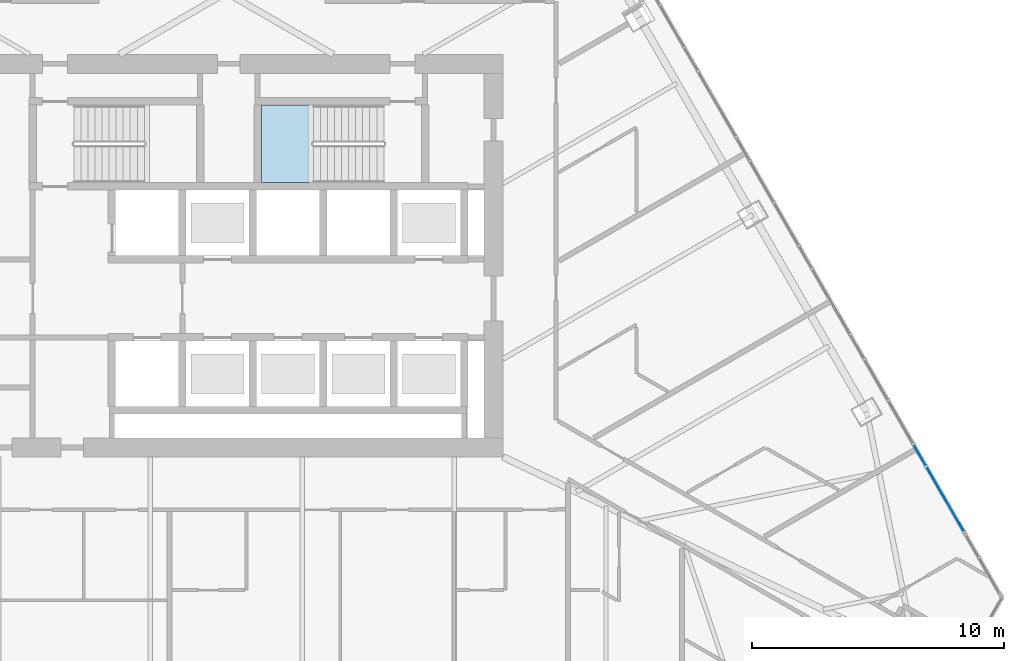
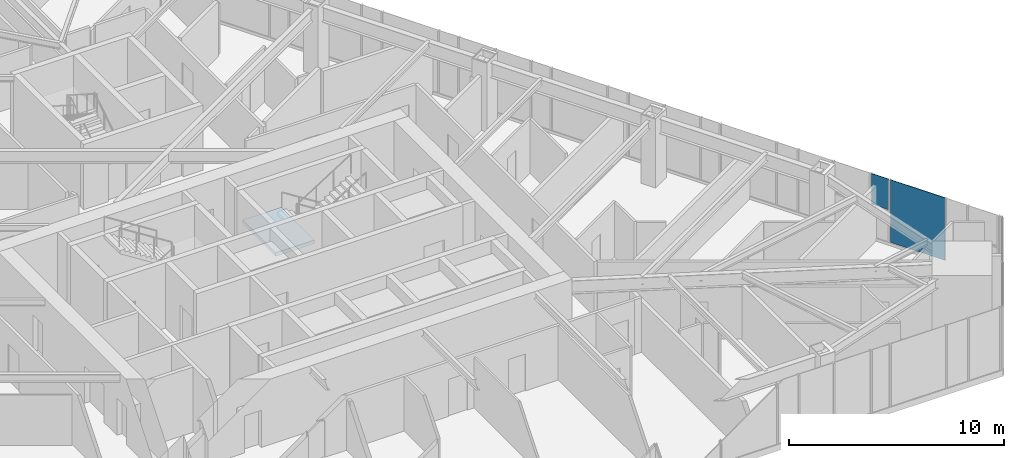
# One storey, part 19 of 32: 2 plates, 1 slab, 2 elements without a shape of their own.
"""IFC4 building model written with IfcOpenShell, lengths in metres."""

from ifc_helpers import new_model, si_unit, direction, frame, origin, place, context, subcontext, project, spatial, polyline, outline, extrude, material, layer, layer_set, type_object, element, aggregate, save


model = new_model("IFC4")

# Units and contexts
model_context = context("Model", 3, precision=1e-05, world=origin(), true_north=direction((0.0, 1.0)))
body_context = subcontext(model_context, "Body", "Model", "MODEL_VIEW")
ifc_project = project(units=[si_unit("LENGTHUNIT", "METRE"), si_unit("AREAUNIT", "SQUARE_METRE"), si_unit("VOLUMEUNIT", "CUBIC_METRE"), si_unit("PLANEANGLEUNIT", "RADIAN"), si_unit("MASSUNIT", "GRAM", prefix="KILO")], contexts=[model_context])

# Site, building, storey
site_placement = place(None, origin())
site = spatial("IfcSite", under=ifc_project, at=site_placement, CompositionType="ELEMENT")
building_placement = place(site_placement, origin())
building = spatial("IfcBuilding", under=site, at=building_placement, Name="Firuza Gate Tower and Library", CompositionType="ELEMENT")
storey_placement = place(building_placement, frame((0.0, 0.0, 163.60009765625)))
storey = spatial("IfcBuildingStorey", under=building, at=storey_placement, Name="L37", CompositionType="ELEMENT", Elevation=163.60009765625)

# Curtain wall, plates
ifc_material_1 = material(Name="Aluminium 6063-T6", Category="aluminium")
ifc_layer_1 = layer(ifc_material_1, 0.14990234375)
ifc_layer_set_1 = layer_set([ifc_layer_1], Name="Unitised curtain wall, hotel")
curtain_wall_type = type_object("IfcCurtainWallType", Name="Unitised curtain wall, hotel", PredefinedType="NOTDEFINED", material=ifc_layer_set_1)
placement = place(storey_placement, origin())
curtain_wall = element("IfcCurtainWall", 1, at=placement, inside=storey, type_object=curtain_wall_type, Name="CW2 L37 E face", PredefinedType="NOTDEFINED")
ifc_material_2 = material(Name="Glazed ceramic tile")
ifc_layer_2 = layer(ifc_material_2, 0.030029296875)
ifc_layer_set_2 = layer_set([ifc_layer_2], Name="Opaque ceramic panel, hotel")
plate_type = type_object("IfcPlateType", Name="Opaque ceramic panel, hotel", PredefinedType="CURTAIN_PANEL", material=ifc_layer_set_2)
plate_1_placement = place(storey_placement, frame((104.330078125, 64.056396484375, 0.14990234375), z_axis=(0.866023947468, 0.500002522405, 0.0), x_axis=(-0.500002522405, 0.866023947468, 0.0)))
plate_1 = element("IfcPlate", 2, at=plate_1_placement, type_object=plate_type, Name="Opaque ceramic panel", PredefinedType="CURTAIN_PANEL", context=body_context, shape_type="SweptSolid", body=[
    extrude(outline(polyline([(0.0, 0.0), (2.942856247596896, 0.0), (2.942856247596896, 3.550048828125), (0.0, 3.550048828125), (0.0, 0.0)])), origin(), (0.0, 0.0, -1.0), 0.030029296875),
])
plate_2_placement = place(storey_placement, frame((102.818603515625, 66.67431640625, 1.96484375), z_axis=(0.866072919292, 0.499917691695, 0.0), x_axis=(-0.499917691695, 0.866072919292, 0.0)))
plate_2 = element("IfcPlate", 3, at=plate_2_placement, type_object=plate_type, Name="Opaque ceramic panel", PredefinedType="CURTAIN_PANEL", context=body_context, shape_type="SweptSolid", body=[
    extrude(outline(polyline([(0.0, 0.0), (0.9381427151241875, 0.0), (0.9381427151241875, 1.735107421875), (0.0, 1.735107421875), (0.0, 0.0)])), origin(), (0.0, 0.0, -1.0), 0.030029296875),
])
aggregate(curtain_wall, [plate_1, plate_2])

# Stair, slab
ifc_material_3 = material(Name="Concrete C35/45", Category="concrete")
stair_type = type_object("IfcStairType", Name="Exit stair ST7", PredefinedType="HALF_TURN_STAIR", material=ifc_material_3)
stair = element("IfcStair", 4, at=placement, inside=storey, type_object=stair_type, Name="L37 Stair ST2", PredefinedType="HALF_TURN_STAIR")
ifc_material_4 = material(Name="Concrete C35/45", Category="concrete")
ifc_layer_3 = layer(ifc_material_4, 0.199951171875)
ifc_layer_set_3 = layer_set([ifc_layer_3], Name="Stair landing 200")
slab_type = type_object("IfcSlabType", Name="Stair landing 200", PredefinedType="LANDING", material=ifc_layer_set_3)
slab_placement = place(storey_placement, frame((0.0, 0.0, 1.75)))
slab = element("IfcSlab", 5, at=slab_placement, type_object=slab_type, Name="ST2 landing 1", PredefinedType="LANDING", context=body_context, shape_type="SweptSolid", body=[
    extrude(outline(polyline([(78.4599609375, 80.97998046875), (76.389892578125, 80.97998046875), (76.389892578125, 77.89990234375), (78.4599609375, 77.89990234375), (78.4599609375, 80.97998046875)])), origin(), (0.0, 0.0, 1.0), 0.199951171875),
])
aggregate(stair, [slab])

save(model, "model.ifc")
